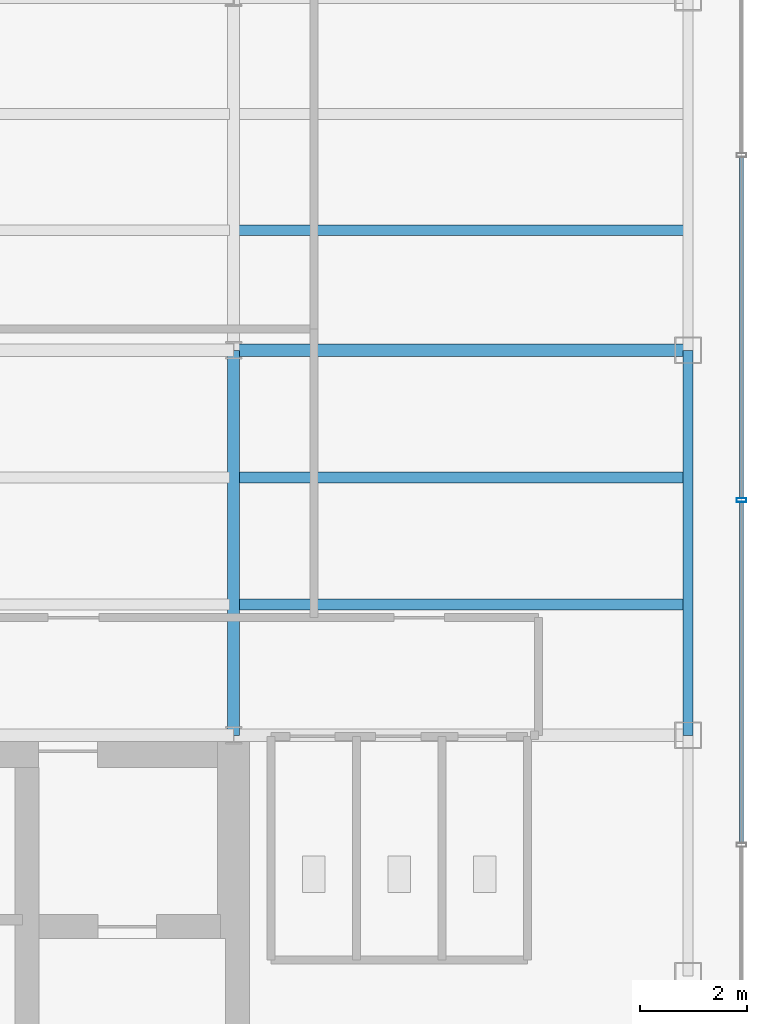
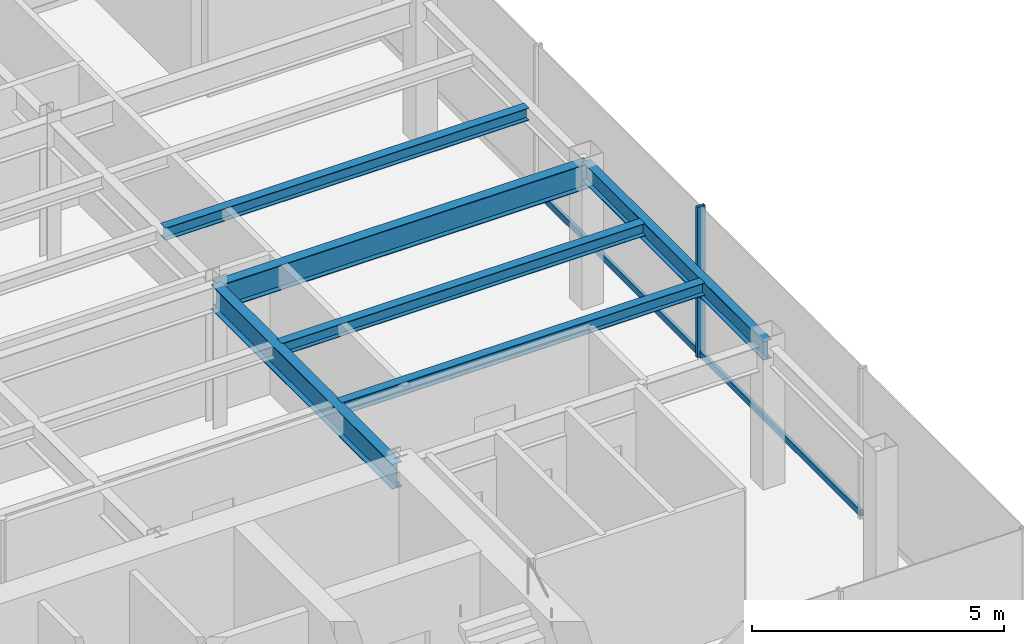
# One storey, part 10 of 22: 6 beams, 3 members, 1 element without a shape of its own.
"""IFC4 building model written with IfcOpenShell, lengths in metres."""

from ifc_helpers import new_model, si_unit, derived_unit, direction, frame, origin, origin_2d, place, context, subcontext, project, spatial, hollow_rectangle, i_section, extrude, source, transform, mapped, material, material_profile, profile_set, type_object, element, aggregate, save


model = new_model("IFC4")

# Units and contexts
model_context = context("Model", 3, precision=1e-05, world=origin(), true_north=direction((0.0, 1.0)))
body_context = subcontext(model_context, "Body", "Model", "MODEL_VIEW")
ifc_project = project(units=[si_unit("LENGTHUNIT", "METRE"), si_unit("AREAUNIT", "SQUARE_METRE"), si_unit("VOLUMEUNIT", "CUBIC_METRE"), si_unit("PLANEANGLEUNIT", "RADIAN"), si_unit("MASSUNIT", "GRAM", prefix="KILO"), derived_unit("THERMALTRANSMITTANCEUNIT", [(si_unit("POWERUNIT", "WATT"), 1), (si_unit("LENGTHUNIT", "METRE"), -2), (si_unit("THERMODYNAMICTEMPERATUREUNIT", "KELVIN"), -1)])], contexts=[model_context])

# Site, building, storey
site_placement = place(None, origin())
site = spatial("IfcSite", under=ifc_project, at=site_placement, CompositionType="ELEMENT")
building_placement = place(site_placement, origin())
building = spatial("IfcBuilding", under=site, at=building_placement, Name="Skarnbrae Concourse Arena and Tower", CompositionType="ELEMENT")
storey_placement = place(building_placement, frame((0.0, 0.0, 277.050048828125)))
storey = spatial("IfcBuildingStorey", under=building, at=storey_placement, Name="L72", CompositionType="ELEMENT", Elevation=277.050048828125)

# Beams
ifc_material_1 = material(Name="Steel CSA G40.21 350W", Category="steel")
ifc_material_profile_1 = material_profile(ifc_material_1, i_section(OverallWidth=0.22802734375, OverallDepth=0.60791015625, WebThickness=0.01123046875, FlangeThickness=0.017333984375, at=origin_2d()), Name="W610X113")
ifc_profile_set_1 = profile_set([ifc_material_profile_1], Name="Steel CSA G40.21 350W")
beam_type_1 = type_object("IfcBeamType", Name="BM-GIRD-W610X113", PredefinedType="BEAM", material=ifc_profile_set_1)
shared_shape_1 = source(origin(), body_context, "Body", "SweptSolid", [
    extrude(i_section(OverallWidth=0.22802734375, OverallDepth=0.60791015625, WebThickness=0.01123046875, FlangeThickness=0.017333984375, at=origin_2d()), origin(), (0.0, 0.0, 1.0), 8.5),
])
beam_1_placement = place(storey_placement, frame((33.5, 21.199951171875, 3.095947265625), z_axis=(1.0, 0.0, 0.0), x_axis=(0.0, 1.0, 0.0)))
element("IfcBeam", 1, at=beam_1_placement, inside=storey, type_object=beam_type_1, Name="L72 Primary E-W girder Y21.2-6", PredefinedType="BEAM", context=body_context, shape_type="MappedRepresentation", body=[
    mapped(shared_shape_1, transform((0.0, 0.0, 0.0))),
])
ifc_material_profile_2 = material_profile(ifc_material_1, i_section(OverallWidth=0.19091796875, OverallDepth=0.4599609375, WebThickness=0.010009765625, FlangeThickness=0.01611328125, at=origin_2d()), Name="W460X82")
ifc_profile_set_2 = profile_set([ifc_material_profile_2], Name="Steel CSA G40.21 350W")
beam_type_2 = type_object("IfcBeamType", Name="BM-SPAN-W460X82", PredefinedType="SPANDREL", material=ifc_profile_set_2)
shared_shape_2 = source(origin(), body_context, "Body", "SweptSolid", [
    extrude(i_section(OverallWidth=0.19091796875, OverallDepth=0.4599609375, WebThickness=0.010009765625, FlangeThickness=0.01611328125, at=origin_2d()), origin(), (0.0, 0.0, 1.0), 7.199951171875),
])
beam_2_placement = place(storey_placement, frame((42.0, 14.0, 3.169921875), z_axis=(0.0, 1.0, 0.0), x_axis=(-1.0, 0.0, 0.0)))
element("IfcBeam", 2, at=beam_2_placement, inside=storey, type_object=beam_type_2, Name="L72 Perimeter spandrel X42.0-2", PredefinedType="SPANDREL", context=body_context, shape_type="MappedRepresentation", body=[
    mapped(shared_shape_2, transform((0.0, 0.0, 0.0))),
])
shared_shape_3 = source(origin(), body_context, "Body", "SweptSolid", [
    extrude(i_section(OverallWidth=0.22802734375, OverallDepth=0.60791015625, WebThickness=0.01123046875, FlangeThickness=0.017333984375, at=origin_2d()), origin(), (0.0, 0.0, 1.0), 7.199951171875),
])
beam_3_placement = place(storey_placement, frame((33.5, 14.0, 3.095947265625), z_axis=(0.0, 1.0, 0.0), x_axis=(-1.0, 0.0, 0.0)))
element("IfcBeam", 3, at=beam_3_placement, inside=storey, type_object=beam_type_1, Name="L72 Primary N-S girder X33.5-1", PredefinedType="BEAM", context=body_context, shape_type="MappedRepresentation", body=[
    mapped(shared_shape_3, transform((0.0, 0.0, 0.0))),
])
ifc_material_profile_3 = material_profile(ifc_material_1, i_section(OverallWidth=0.202880859375, OverallDepth=0.302978515625, WebThickness=0.007568359375, FlangeThickness=0.01318359375, at=origin_2d()), Name="W310X60")
ifc_profile_set_3 = profile_set([ifc_material_profile_3], Name="Steel CSA G40.21 350W")
beam_type_3 = type_object("IfcBeamType", Name="BM-JOIST-W310X60", PredefinedType="JOIST", material=ifc_profile_set_3)
shared_shape_4 = source(origin(), body_context, "Body", "SweptSolid", [
    extrude(i_section(OverallWidth=0.202880859375, OverallDepth=0.302978515625, WebThickness=0.007568359375, FlangeThickness=0.01318359375, at=origin_2d()), origin(), (0.0, 0.0, 1.0), 8.33984375),
])
for number, where, z_axis, x_axis, name in (
    (4, (33.580078125, 16.447998046875, 3.24853515625), (1.0, 0.0, 0.0), (0.0, 1.0, 0.0), "L72 Secondary floor joist 1.1.6"),
    (5, (33.580078125, 18.823974609375, 3.24853515625), (1.0, 0.0, 0.0), (0.0, 1.0, 0.0), "L72 Secondary floor joist 1.2.6"),
    (6, (33.580078125, 23.444091796875, 3.24853515625), (1.0, 0.0, 0.0), (0.0, 1.0, 0.0), "L72 Secondary floor joist 2.1.6"),
):
    element("IfcBeam", number, at=place(storey_placement, frame(where, z_axis=z_axis, x_axis=x_axis)), inside=storey, type_object=beam_type_3, Name=name, PredefinedType="JOIST", context=body_context, shape_type="MappedRepresentation", body=[
        mapped(shared_shape_4, transform((0.0, 0.0, 0.0))),
    ])

# Curtain wall, members
ifc_material_2 = material(Name="Bronze anodised aluminium 6063-T6", Category="aluminium")
curtain_wall_type = type_object("IfcCurtainWallType", Name="CW-SYS-05-HIGHZONE", PredefinedType="USERDEFINED", material=ifc_material_2)
curtain_wall_placement = place(storey_placement, origin())
curtain_wall = element("IfcCurtainWall", 7, at=curtain_wall_placement, inside=storey, type_object=curtain_wall_type, Name="L72 Unitised curtain wall CW-L72-E04", ObjectType="UNITISED CURTAIN WALL", PredefinedType="USERDEFINED")
ifc_material_profile_4 = material_profile(ifc_material_2, hollow_rectangle(XDim=0.074951171875, YDim=0.179931640625, WallThickness=0.00390625, at=origin_2d()), Name="ALU-MULL-75X180")
ifc_profile_set_4 = profile_set([ifc_material_profile_4], Name="Bronze anodised aluminium 6063-T6")
member_type_1 = type_object("IfcMemberType", Name="CWM-CW-05", PredefinedType="MULLION", material=ifc_profile_set_4)
shared_shape_5 = source(origin(), body_context, "Body", "SweptSolid", [
    extrude(hollow_rectangle(XDim=0.074951171875, YDim=0.179931640625, WallThickness=0.00390625, at=origin_2d()), origin(), (0.0, 0.0, 1.0), 3.64990234375),
])
member_1_placement = place(storey_placement, frame((43.0, 18.39990234375, 0.0), z_axis=(0.0, 0.0, 1.0), x_axis=(0.0, 1.0, 0.0)))
member_1 = element("IfcMember", 8, at=member_1_placement, type_object=member_type_1, Name="CW-L72-E04 Mullion 3", PredefinedType="MULLION", context=body_context, shape_type="MappedRepresentation", body=[
    mapped(shared_shape_5, transform((0.0, 0.0, 0.0))),
])
ifc_material_profile_5 = material_profile(ifc_material_2, hollow_rectangle(XDim=0.074951171875, YDim=0.14990234375, WallThickness=0.00390625, at=origin_2d()), Name="ALU-TRAN-75X150")
ifc_profile_set_5 = profile_set([ifc_material_profile_5], Name="Bronze anodised aluminium 6063-T6")
member_type_2 = type_object("IfcMemberType", Name="CWT-CW-05", PredefinedType="USERDEFINED", material=ifc_profile_set_5)
shared_shape_6 = source(origin(), body_context, "Body", "SweptSolid", [
    extrude(hollow_rectangle(XDim=0.074951171875, YDim=0.14990234375, WallThickness=0.00390625, at=origin_2d()), origin(), (0.0, 0.0, 1.0), 6.375),
])
member_2_placement = place(storey_placement, frame((43.0, 11.987548828125, 0.074951171875), z_axis=(0.0, 1.0, 0.0), x_axis=(-1.0, 0.0, 0.0)))
member_2 = element("IfcMember", 9, at=member_2_placement, type_object=member_type_2, Name="CW-L72-E04 Transom 2", ObjectType="TRANSOM", PredefinedType="USERDEFINED", context=body_context, shape_type="MappedRepresentation", body=[
    mapped(shared_shape_6, transform((0.0, 0.0, 0.0))),
])
member_3_placement = place(storey_placement, frame((43.0, 18.4375, 0.074951171875), z_axis=(0.0, 1.0, 0.0), x_axis=(-1.0, 0.0, 0.0)))
member_3 = element("IfcMember", 10, at=member_3_placement, type_object=member_type_2, Name="CW-L72-E04 Transom 3", ObjectType="TRANSOM", PredefinedType="USERDEFINED", context=body_context, shape_type="MappedRepresentation", body=[
    mapped(shared_shape_6, transform((0.0, 0.0, 0.0))),
])
aggregate(curtain_wall, [member_1, member_2, member_3])

save(model, "model.ifc")
